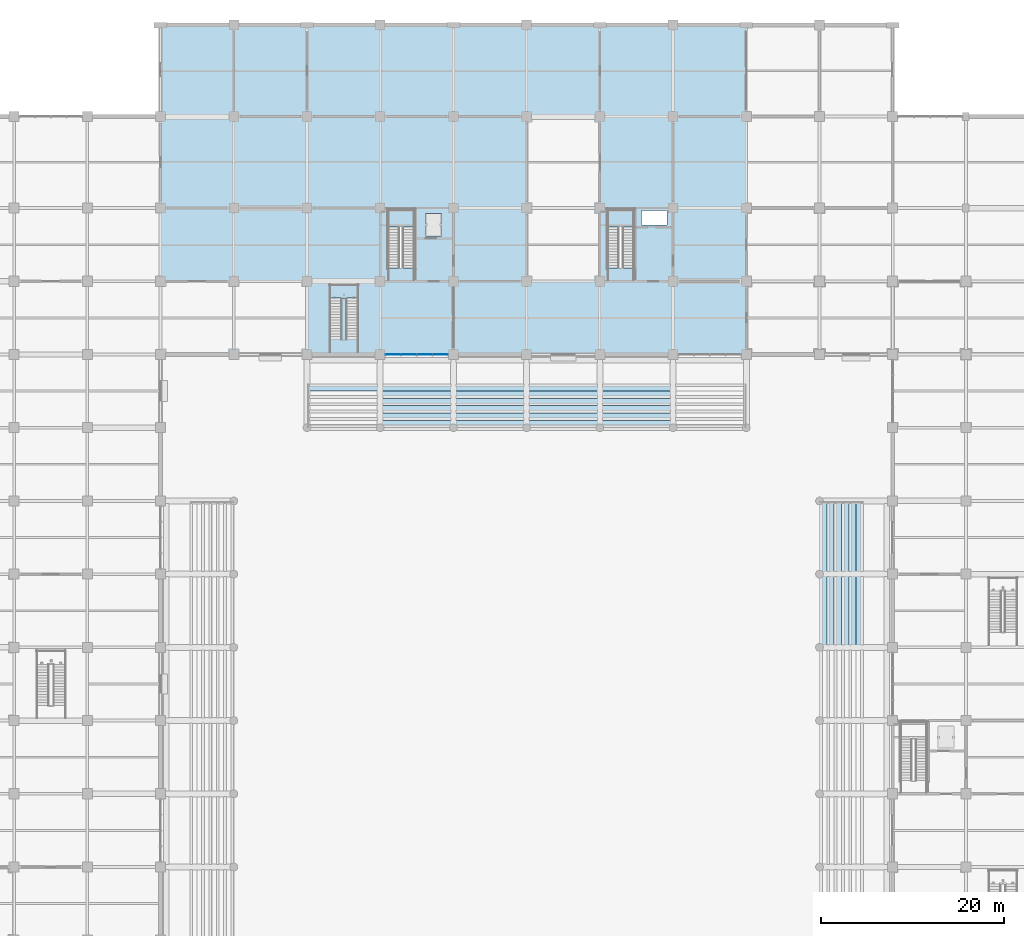
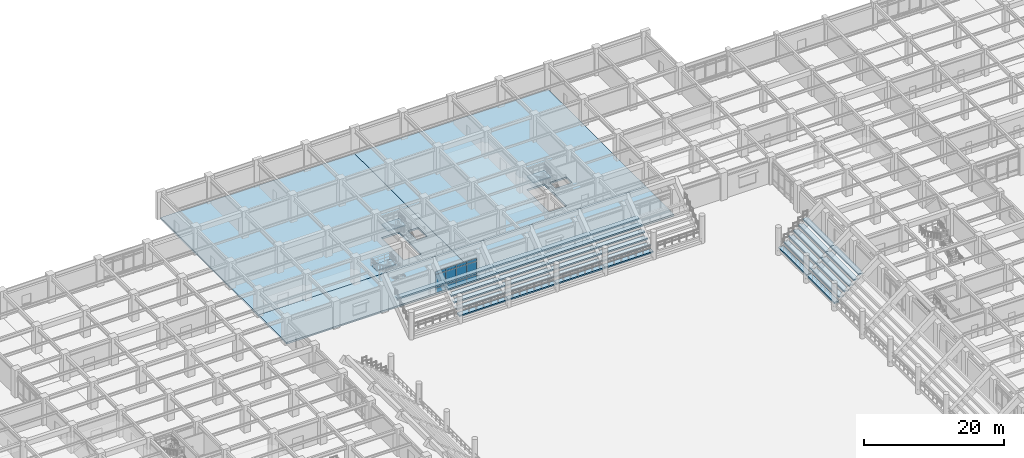
# One storey, part 69 of 125: 44 slabs, 12 plates, 4 elements without a shape of their own.
"""IFC4 building model written with IfcOpenShell, lengths in metres."""

from ifc_helpers import new_model, si_unit, direction, frame, origin, origin_2d, place, context, subcontext, project, spatial, polyline, rectangle, outline, extrude, material, layer, layer_set, type_object, element, aggregate, save


model = new_model("IFC4")

# Units and contexts
model_context = context("Model", 3, precision=1e-05, world=origin(), true_north=direction((0.0, 1.0)))
body_context = subcontext(model_context, "Body", "Model", "MODEL_VIEW")
ifc_project = project(units=[si_unit("LENGTHUNIT", "METRE"), si_unit("AREAUNIT", "SQUARE_METRE"), si_unit("VOLUMEUNIT", "CUBIC_METRE"), si_unit("PLANEANGLEUNIT", "RADIAN"), si_unit("MASSUNIT", "GRAM", prefix="KILO")], contexts=[model_context])

# Site, building, storey
site_placement = place(None, origin())
site = spatial("IfcSite", under=ifc_project, at=site_placement, CompositionType="ELEMENT")
building_placement = place(site_placement, origin())
building = spatial("IfcBuilding", under=site, at=building_placement, Name="Haebicheon Civic Stadium", CompositionType="ELEMENT")
storey_placement = place(building_placement, origin())
storey = spatial("IfcBuildingStorey", under=building, at=storey_placement, Name="L01", CompositionType="ELEMENT", Elevation=0.0)

# Curtain wall, plates
ifc_material_1 = material(Name="Anodised aluminium and laminated glass", Category="aluminium")
ifc_layer_1 = layer(ifc_material_1, 0.179931640625, Name="Anodised aluminium and laminated glass")
ifc_layer_set_1 = layer_set([ifc_layer_1], Name="Anodised aluminium and laminated glass")
curtain_wall_type = type_object("IfcCurtainWallType", Name="CW-6900x3810", PredefinedType="NOTDEFINED", material=ifc_layer_set_1)
curtain_wall_placement = place(storey_placement, origin())
curtain_wall = element("IfcCurtainWall", 1, at=curtain_wall_placement, inside=storey, type_object=curtain_wall_type, material=ifc_layer_set_1, Name="L01 unitised curtain wall 010", PredefinedType="NOTDEFINED")
ifc_material_2 = material(Name="Double low-e laminated glass", Category="glass")
ifc_layer_2 = layer(ifc_material_2, 0.028076171875, Name="Double low-e laminated glass")
ifc_layer_set_2 = layer_set([ifc_layer_2], Name="Double low-e laminated glass")
plate_type_1 = type_object("IfcPlateType", Name="CWP-GLZ-28", PredefinedType="CURTAIN_PANEL", material=ifc_layer_set_2)
plate_1_placement = place(storey_placement, frame((89.431884765625, 152.0, 0.93994140625), z_axis=(0.0, 0.0, 1.0), x_axis=(1.0, 0.0, 0.0)))
plate_1 = element("IfcPlate", 2, at=plate_1_placement, type_object=plate_type_1, material=ifc_layer_set_2, Name="CW-L01-010 vision panel 1.2", PredefinedType="CURTAIN_PANEL", context=body_context, shape_type="SweptSolid", body=[
    extrude(rectangle(XDim=1.60498046875, YDim=0.028076171875, at=origin_2d()), origin(), (0.0, 0.0, 1.0), 2.280029296875),
])
plate_2_placement = place(storey_placement, frame((91.137939453125, 152.0, 0.93994140625), z_axis=(0.0, 0.0, 1.0), x_axis=(1.0, 0.0, 0.0)))
plate_2 = element("IfcPlate", 3, at=plate_2_placement, type_object=plate_type_1, material=ifc_layer_set_2, Name="CW-L01-010 vision panel 2.2", PredefinedType="CURTAIN_PANEL", context=body_context, shape_type="SweptSolid", body=[
    extrude(rectangle(XDim=1.64501953125, YDim=0.028076171875, at=origin_2d()), origin(), (0.0, 0.0, 1.0), 2.280029296875),
])
plate_3_placement = place(storey_placement, frame((92.862060546875, 152.0, 0.93994140625), z_axis=(0.0, 0.0, 1.0), x_axis=(1.0, 0.0, 0.0)))
plate_3 = element("IfcPlate", 4, at=plate_3_placement, type_object=plate_type_1, material=ifc_layer_set_2, Name="CW-L01-010 vision panel 3.2", PredefinedType="CURTAIN_PANEL", context=body_context, shape_type="SweptSolid", body=[
    extrude(rectangle(XDim=1.64501953125, YDim=0.028076171875, at=origin_2d()), origin(), (0.0, 0.0, 1.0), 2.280029296875),
])
plate_4_placement = place(storey_placement, frame((94.568115234375, 152.0, 0.93994140625), z_axis=(0.0, 0.0, 1.0), x_axis=(1.0, 0.0, 0.0)))
plate_4 = element("IfcPlate", 5, at=plate_4_placement, type_object=plate_type_1, material=ifc_layer_set_2, Name="CW-L01-010 vision panel 4.2", PredefinedType="CURTAIN_PANEL", context=body_context, shape_type="SweptSolid", body=[
    extrude(rectangle(XDim=1.60498046875, YDim=0.028076171875, at=origin_2d()), origin(), (0.0, 0.0, 1.0), 2.280029296875),
])
ifc_material_3 = material(Name="Anodised aluminium 6063-T6", Category="aluminium")
ifc_layer_3 = layer(ifc_material_3, 0.0439453125, Name="Anodised aluminium 6063-T6")
ifc_layer_set_3 = layer_set([ifc_layer_3], Name="Anodised aluminium 6063-T6")
plate_type_2 = type_object("IfcPlateType", Name="CWP-SPD-44", PredefinedType="CURTAIN_PANEL", material=ifc_layer_set_3)
plate_5_placement = place(storey_placement, frame((89.431884765625, 152.0, 0.0400390625), z_axis=(0.0, 0.0, 1.0), x_axis=(1.0, 0.0, 0.0)))
plate_5 = element("IfcPlate", 6, at=plate_5_placement, type_object=plate_type_2, material=ifc_layer_set_3, Name="CW-L01-010 spandrel panel 1.1", PredefinedType="CURTAIN_PANEL", context=body_context, shape_type="SweptSolid", body=[
    extrude(rectangle(XDim=1.60498046875, YDim=0.0439453125, at=origin_2d()), origin(), (0.0, 0.0, 1.0), 0.820068359375),
])
plate_6_placement = place(storey_placement, frame((89.431884765625, 152.0, 3.2998046875), z_axis=(0.0, 0.0, 1.0), x_axis=(1.0, 0.0, 0.0)))
plate_6 = element("IfcPlate", 7, at=plate_6_placement, type_object=plate_type_2, material=ifc_layer_set_3, Name="CW-L01-010 spandrel panel 1.3", PredefinedType="CURTAIN_PANEL", context=body_context, shape_type="SweptSolid", body=[
    extrude(rectangle(XDim=1.60498046875, YDim=0.0439453125, at=origin_2d()), origin(), (0.0, 0.0, 1.0), 0.469970703125),
])
plate_7_placement = place(storey_placement, frame((91.137939453125, 152.0, 0.0400390625), z_axis=(0.0, 0.0, 1.0), x_axis=(1.0, 0.0, 0.0)))
plate_7 = element("IfcPlate", 8, at=plate_7_placement, type_object=plate_type_2, material=ifc_layer_set_3, Name="CW-L01-010 spandrel panel 2.1", PredefinedType="CURTAIN_PANEL", context=body_context, shape_type="SweptSolid", body=[
    extrude(rectangle(XDim=1.64501953125, YDim=0.0439453125, at=origin_2d()), origin(), (0.0, 0.0, 1.0), 0.820068359375),
])
plate_8_placement = place(storey_placement, frame((91.137939453125, 152.0, 3.2998046875), z_axis=(0.0, 0.0, 1.0), x_axis=(1.0, 0.0, 0.0)))
plate_8 = element("IfcPlate", 9, at=plate_8_placement, type_object=plate_type_2, material=ifc_layer_set_3, Name="CW-L01-010 spandrel panel 2.3", PredefinedType="CURTAIN_PANEL", context=body_context, shape_type="SweptSolid", body=[
    extrude(rectangle(XDim=1.64501953125, YDim=0.0439453125, at=origin_2d()), origin(), (0.0, 0.0, 1.0), 0.469970703125),
])
plate_9_placement = place(storey_placement, frame((92.862060546875, 152.0, 0.0400390625), z_axis=(0.0, 0.0, 1.0), x_axis=(1.0, 0.0, 0.0)))
plate_9 = element("IfcPlate", 10, at=plate_9_placement, type_object=plate_type_2, material=ifc_layer_set_3, Name="CW-L01-010 spandrel panel 3.1", PredefinedType="CURTAIN_PANEL", context=body_context, shape_type="SweptSolid", body=[
    extrude(rectangle(XDim=1.64501953125, YDim=0.0439453125, at=origin_2d()), origin(), (0.0, 0.0, 1.0), 0.820068359375),
])
plate_10_placement = place(storey_placement, frame((92.862060546875, 152.0, 3.2998046875), z_axis=(0.0, 0.0, 1.0), x_axis=(1.0, 0.0, 0.0)))
plate_10 = element("IfcPlate", 11, at=plate_10_placement, type_object=plate_type_2, material=ifc_layer_set_3, Name="CW-L01-010 spandrel panel 3.3", PredefinedType="CURTAIN_PANEL", context=body_context, shape_type="SweptSolid", body=[
    extrude(rectangle(XDim=1.64501953125, YDim=0.0439453125, at=origin_2d()), origin(), (0.0, 0.0, 1.0), 0.469970703125),
])
plate_11_placement = place(storey_placement, frame((94.568115234375, 152.0, 0.0400390625), z_axis=(0.0, 0.0, 1.0), x_axis=(1.0, 0.0, 0.0)))
plate_11 = element("IfcPlate", 12, at=plate_11_placement, type_object=plate_type_2, material=ifc_layer_set_3, Name="CW-L01-010 spandrel panel 4.1", PredefinedType="CURTAIN_PANEL", context=body_context, shape_type="SweptSolid", body=[
    extrude(rectangle(XDim=1.60498046875, YDim=0.0439453125, at=origin_2d()), origin(), (0.0, 0.0, 1.0), 0.820068359375),
])
plate_12_placement = place(storey_placement, frame((94.568115234375, 152.0, 3.2998046875), z_axis=(0.0, 0.0, 1.0), x_axis=(1.0, 0.0, 0.0)))
plate_12 = element("IfcPlate", 13, at=plate_12_placement, type_object=plate_type_2, material=ifc_layer_set_3, Name="CW-L01-010 spandrel panel 4.3", PredefinedType="CURTAIN_PANEL", context=body_context, shape_type="SweptSolid", body=[
    extrude(rectangle(XDim=1.60498046875, YDim=0.0439453125, at=origin_2d()), origin(), (0.0, 0.0, 1.0), 0.469970703125),
])
aggregate(curtain_wall, [plate_5, plate_1, plate_6, plate_7, plate_2, plate_8, plate_9, plate_3, plate_10, plate_11, plate_4, plate_12])

# Slabs
ifc_material_4 = material(Name="Concrete C40/50", Category="concrete")
ifc_layer_4 = layer(ifc_material_4, 0.300048828125, Name="Concrete C40/50")
ifc_layer_set_4 = layer_set([ifc_layer_4], Name="Concrete C40/50")
slab_type_1 = type_object("IfcSlabType", Name="SLB-FLR-300", PredefinedType="FLOOR", material=ifc_layer_set_4)
slab_1_placement = place(storey_placement, frame((0.0, 0.0, -0.300048828125)))
element("IfcSlab", 14, at=slab_1_placement, inside=storey, type_object=slab_type_1, material=ifc_layer_set_4, Name="L01 V2 structural slab 2.1", PredefinedType="FLOOR", context=body_context, shape_type="SweptSolid", body=[
    extrude(outline(polyline([(64.0, 160.0), (72.0, 160.0), (80.0, 160.0), (88.0, 160.0), (96.0, 160.0), (96.0, 152.0), (88.0, 152.0), (80.0, 152.0), (72.0, 152.0), (64.0, 152.0), (64.0, 160.0)])), origin(), (0.0, 0.0, 1.0), 0.300048828125),
])
slab_2_placement = place(storey_placement, frame((0.0, 0.0, -0.300048828125)))
element("IfcSlab", 15, at=slab_2_placement, inside=storey, type_object=slab_type_1, material=ifc_layer_set_4, Name="L01 V2 structural slab 3.1", PredefinedType="FLOOR", context=body_context, shape_type="SweptSolid", body=[
    extrude(outline(polyline([(64.0, 178.0), (64.0, 188.0), (72.0, 188.0), (80.0, 188.0), (88.0, 188.0), (96.0, 188.0), (96.0, 178.0), (96.0, 168.0), (96.0, 160.0), (88.0, 160.0), (80.0, 160.0), (72.0, 160.0), (64.0, 160.0), (64.0, 168.0), (64.0, 178.0)]), holes=[polyline([(88.840087890625, 161.4599609375), (91.739990234375, 161.4599609375), (91.739990234375, 167.840087890625), (88.840087890625, 167.840087890625), (88.840087890625, 161.4599609375)]), polyline([(92.969970703125, 164.929931640625), (94.669921875, 164.929931640625), (94.669921875, 167.429931640625), (92.969970703125, 167.429931640625), (92.969970703125, 164.929931640625)])]), origin(), (0.0, 0.0, 1.0), 0.300048828125),
])
slab_3_placement = place(storey_placement, frame((0.0, 0.0, -0.300048828125)))
element("IfcSlab", 16, at=slab_3_placement, inside=storey, type_object=slab_type_1, material=ifc_layer_set_4, Name="L01 V2 structural slab 5.1", PredefinedType="FLOOR", context=body_context, shape_type="SweptSolid", body=[
    extrude(outline(polyline([(96.0, 160.0), (104.0, 160.0), (112.0, 160.0), (120.0, 160.0), (128.0, 160.0), (128.0, 152.0), (120.0, 152.0), (112.0, 152.0), (104.0, 152.0), (96.0, 152.0), (96.0, 160.0)])), origin(), (0.0, 0.0, 1.0), 0.300048828125),
])
slab_4_placement = place(storey_placement, frame((0.0, 0.0, -0.300048828125)))
element("IfcSlab", 17, at=slab_4_placement, inside=storey, type_object=slab_type_1, material=ifc_layer_set_4, Name="L01 V2 structural slab 6.1", PredefinedType="FLOOR", context=body_context, shape_type="SweptSolid", body=[
    extrude(outline(polyline([(96.0, 178.0), (96.0, 188.0), (104.0, 188.0), (112.0, 188.0), (120.0, 188.0), (128.0, 188.0), (128.0, 178.0), (128.0, 168.0), (128.0, 160.0), (120.0, 160.0), (112.0, 160.0), (104.0, 160.0), (96.0, 160.0), (96.0, 168.0), (96.0, 178.0)]), holes=[polyline([(112.840087890625, 161.4599609375), (115.739990234375, 161.4599609375), (115.739990234375, 167.840087890625), (112.840087890625, 167.840087890625), (112.840087890625, 161.4599609375)]), polyline([(116.550048828125, 166.14990234375), (119.35009765625, 166.14990234375), (119.35009765625, 167.75), (116.550048828125, 167.75), (116.550048828125, 166.14990234375)])]), origin(), (0.0, 0.0, 1.0), 0.300048828125),
])

# Stair, slab
ifc_material_5 = material(Name="Concrete C40/50", Category="concrete")
stair_type_1 = type_object("IfcStairType", Name="STR-DL-W128-H48", PredefinedType="HALF_TURN_STAIR", material=ifc_material_5)
stair_1_placement = place(storey_placement, origin())
stair_1 = element("IfcStair", 18, at=stair_1_placement, inside=storey, type_object=stair_type_1, material=ifc_material_5, Name="L01 Escape stair ST-08", PredefinedType="HALF_TURN_STAIR")
ifc_material_6 = material(Name="Concrete C40/50", Category="concrete")
ifc_layer_5 = layer(ifc_material_6, 0.199951171875, Name="Concrete C40/50")
ifc_layer_set_5 = layer_set([ifc_layer_5], Name="Concrete C40/50")
slab_type_2 = type_object("IfcSlabType", Name="SLB-LND-200", PredefinedType="LANDING", material=ifc_layer_set_5)
slab_5_placement = place(storey_placement, frame((0.0, 0.0, 2.199951171875)))
slab_5 = element("IfcSlab", 19, at=slab_5_placement, type_object=slab_type_2, material=ifc_layer_set_5, Name="ST-08 landing 1", PredefinedType="LANDING", context=body_context, shape_type="SweptSolid", body=[
    extrude(outline(polyline([(91.739990234375, 165.949951171875), (91.739990234375, 167.840087890625), (88.840087890625, 167.840087890625), (88.840087890625, 165.949951171875), (91.739990234375, 165.949951171875)])), origin(), (0.0, 0.0, 1.0), 0.199951171875),
])
aggregate(stair_1, [slab_5])

ifc_material_7 = material(Name="Concrete C40/50", Category="concrete")
stair_type_2 = type_object("IfcStairType", Name="STR-DL-W126-H48", PredefinedType="HALF_TURN_STAIR", material=ifc_material_7)
stair_2_placement = place(storey_placement, origin())
stair_2 = element("IfcStair", 20, at=stair_2_placement, inside=storey, type_object=stair_type_2, material=ifc_material_7, Name="L01 Escape stair ST-09", PredefinedType="HALF_TURN_STAIR")
slab_6_placement = place(storey_placement, frame((0.0, 0.0, 2.199951171875)))
slab_6 = element("IfcSlab", 21, at=slab_6_placement, type_object=slab_type_2, material=ifc_layer_set_5, Name="ST-09 landing 1", PredefinedType="LANDING", context=body_context, shape_type="SweptSolid", body=[
    extrude(outline(polyline([(115.739990234375, 165.949951171875), (115.739990234375, 167.840087890625), (112.840087890625, 167.840087890625), (112.840087890625, 165.949951171875), (115.739990234375, 165.949951171875)])), origin(), (0.0, 0.0, 1.0), 0.199951171875),
])
aggregate(stair_2, [slab_6])

ifc_material_8 = material(Name="Concrete C40/50", Category="concrete")
stair_type_3 = type_object("IfcStairType", Name="STR-DL-W136-H48", PredefinedType="HALF_TURN_STAIR", material=ifc_material_8)
stair_3_placement = place(storey_placement, origin())
stair_3 = element("IfcStair", 22, at=stair_3_placement, inside=storey, type_object=stair_type_3, material=ifc_material_8, Name="Vomitory stair VM-09 (L01)", PredefinedType="HALF_TURN_STAIR")
slab_7_placement = place(storey_placement, frame((0.0, 0.0, 2.199951171875)))
slab_7 = element("IfcSlab", 23, at=slab_7_placement, type_object=slab_type_2, material=ifc_layer_set_5, Name="VM-09 landing 1", PredefinedType="LANDING", context=body_context, shape_type="SweptSolid", body=[
    extrude(outline(polyline([(85.639892578125, 158.14990234375), (85.639892578125, 159.64990234375), (82.4599609375, 159.64990234375), (82.4599609375, 158.14990234375), (85.639892578125, 158.14990234375)])), origin(), (0.0, 0.0, 1.0), 0.199951171875),
])
aggregate(stair_3, [slab_7])

# Slabs
ifc_material_9 = material(Name="Precast concrete C40/50", Category="concrete")
ifc_layer_6 = layer(ifc_material_9, 0.239990234375, Name="Precast concrete C40/50")
ifc_layer_set_6 = layer_set([ifc_layer_6], Name="Precast concrete C40/50")
slab_type_3 = type_object("IfcSlabType", Name="SLB-TIER-240", PredefinedType="USERDEFINED", material=ifc_layer_set_6)
slab_8_placement = place(storey_placement, frame((0.0, 0.0, 0.9599609375)))
element("IfcSlab", 24, at=slab_8_placement, inside=storey, type_object=slab_type_3, material=ifc_layer_set_6, Name="TIER-E-L precast seating tier bay 10 row-band 1", ObjectType="SEATING TIER", PredefinedType="USERDEFINED", context=body_context, shape_type="SweptSolid", body=[
    extrude(outline(polyline([(136.0, 120.0), (136.800048828125, 120.0), (136.800048828125, 128.0), (136.0, 128.0), (136.0, 120.0)])), origin(), (0.0, 0.0, 1.0), 0.239990234375),
])
slab_9_placement = place(storey_placement, frame((0.0, 0.0, 1.6708984375)))
element("IfcSlab", 25, at=slab_9_placement, inside=storey, type_object=slab_type_3, material=ifc_layer_set_6, Name="TIER-E-L precast seating tier bay 10 row-band 2", ObjectType="SEATING TIER", PredefinedType="USERDEFINED", context=body_context, shape_type="SweptSolid", body=[
    extrude(outline(polyline([(136.800048828125, 120.0), (137.60009765625, 120.0), (137.60009765625, 128.0), (136.800048828125, 128.0), (136.800048828125, 120.0)])), origin(), (0.0, 0.0, 1.0), 0.239990234375),
])
slab_10_placement = place(storey_placement, frame((0.0, 0.0, 2.382080078125)))
element("IfcSlab", 26, at=slab_10_placement, inside=storey, type_object=slab_type_3, material=ifc_layer_set_6, Name="TIER-E-L precast seating tier bay 10 row-band 3", ObjectType="SEATING TIER", PredefinedType="USERDEFINED", context=body_context, shape_type="SweptSolid", body=[
    extrude(outline(polyline([(137.60009765625, 120.0), (138.39990234375, 120.0), (138.39990234375, 128.0), (137.60009765625, 128.0), (137.60009765625, 120.0)])), origin(), (0.0, 0.0, 1.0), 0.239990234375),
])
slab_11_placement = place(storey_placement, frame((0.0, 0.0, 3.093017578125)))
element("IfcSlab", 27, at=slab_11_placement, inside=storey, type_object=slab_type_3, material=ifc_layer_set_6, Name="TIER-E-L precast seating tier bay 10 row-band 4", ObjectType="SEATING TIER", PredefinedType="USERDEFINED", context=body_context, shape_type="SweptSolid", body=[
    extrude(outline(polyline([(138.39990234375, 120.0), (139.199951171875, 120.0), (139.199951171875, 128.0), (138.39990234375, 128.0), (138.39990234375, 120.0)])), origin(), (0.0, 0.0, 1.0), 0.239990234375),
])
slab_12_placement = place(storey_placement, frame((0.0, 0.0, 3.803955078125)))
element("IfcSlab", 28, at=slab_12_placement, inside=storey, type_object=slab_type_3, material=ifc_layer_set_6, Name="TIER-E-L precast seating tier bay 10 row-band 5", ObjectType="SEATING TIER", PredefinedType="USERDEFINED", context=body_context, shape_type="SweptSolid", body=[
    extrude(outline(polyline([(139.199951171875, 120.0), (140.0, 120.0), (140.0, 128.0), (139.199951171875, 128.0), (139.199951171875, 120.0)])), origin(), (0.0, 0.0, 1.0), 0.239990234375),
])
slab_13_placement = place(storey_placement, frame((0.0, 0.0, 4.51611328125)))
element("IfcSlab", 29, at=slab_13_placement, inside=storey, type_object=slab_type_3, material=ifc_layer_set_6, Name="TIER-E-L precast seating tier bay 10 row-band 6", ObjectType="SEATING TIER", PredefinedType="USERDEFINED", context=body_context, shape_type="SweptSolid", body=[
    extrude(outline(polyline([(140.0, 120.0), (140.800048828125, 120.0), (140.800048828125, 128.0), (140.0, 128.0), (140.0, 120.0)])), origin(), (0.0, 0.0, 1.0), 0.239990234375),
])
slab_14_placement = place(storey_placement, frame((0.0, 0.0, 0.9599609375)))
element("IfcSlab", 30, at=slab_14_placement, inside=storey, type_object=slab_type_3, material=ifc_layer_set_6, Name="TIER-E-L precast seating tier bay 11 row-band 1", ObjectType="SEATING TIER", PredefinedType="USERDEFINED", context=body_context, shape_type="SweptSolid", body=[
    extrude(outline(polyline([(136.0, 128.0), (136.800048828125, 128.0), (136.800048828125, 136.0), (136.0, 136.0), (136.0, 128.0)])), origin(), (0.0, 0.0, 1.0), 0.239990234375),
])
slab_15_placement = place(storey_placement, frame((0.0, 0.0, 1.6708984375)))
element("IfcSlab", 31, at=slab_15_placement, inside=storey, type_object=slab_type_3, material=ifc_layer_set_6, Name="TIER-E-L precast seating tier bay 11 row-band 2", ObjectType="SEATING TIER", PredefinedType="USERDEFINED", context=body_context, shape_type="SweptSolid", body=[
    extrude(outline(polyline([(136.800048828125, 128.0), (137.60009765625, 128.0), (137.60009765625, 136.0), (136.800048828125, 136.0), (136.800048828125, 128.0)])), origin(), (0.0, 0.0, 1.0), 0.239990234375),
])
slab_16_placement = place(storey_placement, frame((0.0, 0.0, 2.382080078125)))
element("IfcSlab", 32, at=slab_16_placement, inside=storey, type_object=slab_type_3, material=ifc_layer_set_6, Name="TIER-E-L precast seating tier bay 11 row-band 3", ObjectType="SEATING TIER", PredefinedType="USERDEFINED", context=body_context, shape_type="SweptSolid", body=[
    extrude(outline(polyline([(137.60009765625, 128.0), (138.39990234375, 128.0), (138.39990234375, 136.0), (137.60009765625, 136.0), (137.60009765625, 128.0)])), origin(), (0.0, 0.0, 1.0), 0.239990234375),
])
slab_17_placement = place(storey_placement, frame((0.0, 0.0, 3.093017578125)))
element("IfcSlab", 33, at=slab_17_placement, inside=storey, type_object=slab_type_3, material=ifc_layer_set_6, Name="TIER-E-L precast seating tier bay 11 row-band 4", ObjectType="SEATING TIER", PredefinedType="USERDEFINED", context=body_context, shape_type="SweptSolid", body=[
    extrude(outline(polyline([(138.39990234375, 128.0), (139.199951171875, 128.0), (139.199951171875, 136.0), (138.39990234375, 136.0), (138.39990234375, 128.0)])), origin(), (0.0, 0.0, 1.0), 0.239990234375),
])
slab_18_placement = place(storey_placement, frame((0.0, 0.0, 3.803955078125)))
element("IfcSlab", 34, at=slab_18_placement, inside=storey, type_object=slab_type_3, material=ifc_layer_set_6, Name="TIER-E-L precast seating tier bay 11 row-band 5", ObjectType="SEATING TIER", PredefinedType="USERDEFINED", context=body_context, shape_type="SweptSolid", body=[
    extrude(outline(polyline([(139.199951171875, 128.0), (140.0, 128.0), (140.0, 136.0), (139.199951171875, 136.0), (139.199951171875, 128.0)])), origin(), (0.0, 0.0, 1.0), 0.239990234375),
])
slab_19_placement = place(storey_placement, frame((0.0, 0.0, 4.51611328125)))
element("IfcSlab", 35, at=slab_19_placement, inside=storey, type_object=slab_type_3, material=ifc_layer_set_6, Name="TIER-E-L precast seating tier bay 11 row-band 6", ObjectType="SEATING TIER", PredefinedType="USERDEFINED", context=body_context, shape_type="SweptSolid", body=[
    extrude(outline(polyline([(140.0, 128.0), (140.800048828125, 128.0), (140.800048828125, 136.0), (140.0, 136.0), (140.0, 128.0)])), origin(), (0.0, 0.0, 1.0), 0.239990234375),
])
slab_20_placement = place(storey_placement, frame((0.0, 0.0, 4.29296875)))
element("IfcSlab", 36, at=slab_20_placement, inside=storey, type_object=slab_type_3, material=ifc_layer_set_6, Name="TIER-N-L precast seating tier bay 1 row-band 6", ObjectType="SEATING TIER", PredefinedType="USERDEFINED", context=body_context, shape_type="SweptSolid", body=[
    extrude(outline(polyline([(80.0, 148.0), (88.0, 148.0), (88.0, 148.800048828125), (80.0, 148.800048828125), (80.0, 148.0)])), origin(), (0.0, 0.0, 1.0), 0.239990234375),
])
slab_21_placement = place(storey_placement, frame((0.0, 0.0, 0.9599609375)))
element("IfcSlab", 37, at=slab_21_placement, inside=storey, type_object=slab_type_3, material=ifc_layer_set_6, Name="TIER-N-L precast seating tier bay 2 row-band 1", ObjectType="SEATING TIER", PredefinedType="USERDEFINED", context=body_context, shape_type="SweptSolid", body=[
    extrude(outline(polyline([(88.0, 144.0), (96.0, 144.0), (96.0, 144.800048828125), (88.0, 144.800048828125), (88.0, 144.0)])), origin(), (0.0, 0.0, 1.0), 0.239990234375),
])
slab_22_placement = place(storey_placement, frame((0.0, 0.0, 1.626953125)))
element("IfcSlab", 38, at=slab_22_placement, inside=storey, type_object=slab_type_3, material=ifc_layer_set_6, Name="TIER-N-L precast seating tier bay 2 row-band 2", ObjectType="SEATING TIER", PredefinedType="USERDEFINED", context=body_context, shape_type="SweptSolid", body=[
    extrude(outline(polyline([(88.0, 144.800048828125), (96.0, 144.800048828125), (96.0, 145.60009765625), (88.0, 145.60009765625), (88.0, 144.800048828125)])), origin(), (0.0, 0.0, 1.0), 0.239990234375),
])
slab_23_placement = place(storey_placement, frame((0.0, 0.0, 2.29296875)))
element("IfcSlab", 39, at=slab_23_placement, inside=storey, type_object=slab_type_3, material=ifc_layer_set_6, Name="TIER-N-L precast seating tier bay 2 row-band 3", ObjectType="SEATING TIER", PredefinedType="USERDEFINED", context=body_context, shape_type="SweptSolid", body=[
    extrude(outline(polyline([(88.0, 145.60009765625), (96.0, 145.60009765625), (96.0, 146.39990234375), (88.0, 146.39990234375), (88.0, 145.60009765625)])), origin(), (0.0, 0.0, 1.0), 0.239990234375),
])
slab_24_placement = place(storey_placement, frame((0.0, 0.0, 2.9599609375)))
element("IfcSlab", 40, at=slab_24_placement, inside=storey, type_object=slab_type_3, material=ifc_layer_set_6, Name="TIER-N-L precast seating tier bay 2 row-band 4", ObjectType="SEATING TIER", PredefinedType="USERDEFINED", context=body_context, shape_type="SweptSolid", body=[
    extrude(outline(polyline([(88.0, 146.39990234375), (96.0, 146.39990234375), (96.0, 147.199951171875), (88.0, 147.199951171875), (88.0, 146.39990234375)])), origin(), (0.0, 0.0, 1.0), 0.239990234375),
])
slab_25_placement = place(storey_placement, frame((0.0, 0.0, 3.626953125)))
element("IfcSlab", 41, at=slab_25_placement, inside=storey, type_object=slab_type_3, material=ifc_layer_set_6, Name="TIER-N-L precast seating tier bay 2 row-band 5", ObjectType="SEATING TIER", PredefinedType="USERDEFINED", context=body_context, shape_type="SweptSolid", body=[
    extrude(outline(polyline([(88.0, 147.199951171875), (96.0, 147.199951171875), (96.0, 148.0), (88.0, 148.0), (88.0, 147.199951171875)])), origin(), (0.0, 0.0, 1.0), 0.239990234375),
])
slab_26_placement = place(storey_placement, frame((0.0, 0.0, 4.29296875)))
element("IfcSlab", 42, at=slab_26_placement, inside=storey, type_object=slab_type_3, material=ifc_layer_set_6, Name="TIER-N-L precast seating tier bay 2 row-band 6", ObjectType="SEATING TIER", PredefinedType="USERDEFINED", context=body_context, shape_type="SweptSolid", body=[
    extrude(outline(polyline([(88.0, 148.0), (96.0, 148.0), (96.0, 148.800048828125), (88.0, 148.800048828125), (88.0, 148.0)])), origin(), (0.0, 0.0, 1.0), 0.239990234375),
])
slab_27_placement = place(storey_placement, frame((0.0, 0.0, 0.9599609375)))
element("IfcSlab", 43, at=slab_27_placement, inside=storey, type_object=slab_type_3, material=ifc_layer_set_6, Name="TIER-N-L precast seating tier bay 3 row-band 1", ObjectType="SEATING TIER", PredefinedType="USERDEFINED", context=body_context, shape_type="SweptSolid", body=[
    extrude(outline(polyline([(96.0, 144.0), (104.0, 144.0), (104.0, 144.800048828125), (96.0, 144.800048828125), (96.0, 144.0)])), origin(), (0.0, 0.0, 1.0), 0.239990234375),
])
slab_28_placement = place(storey_placement, frame((0.0, 0.0, 1.626953125)))
element("IfcSlab", 44, at=slab_28_placement, inside=storey, type_object=slab_type_3, material=ifc_layer_set_6, Name="TIER-N-L precast seating tier bay 3 row-band 2", ObjectType="SEATING TIER", PredefinedType="USERDEFINED", context=body_context, shape_type="SweptSolid", body=[
    extrude(outline(polyline([(96.0, 144.800048828125), (104.0, 144.800048828125), (104.0, 145.60009765625), (96.0, 145.60009765625), (96.0, 144.800048828125)])), origin(), (0.0, 0.0, 1.0), 0.239990234375),
])
slab_29_placement = place(storey_placement, frame((0.0, 0.0, 2.29296875)))
element("IfcSlab", 45, at=slab_29_placement, inside=storey, type_object=slab_type_3, material=ifc_layer_set_6, Name="TIER-N-L precast seating tier bay 3 row-band 3", ObjectType="SEATING TIER", PredefinedType="USERDEFINED", context=body_context, shape_type="SweptSolid", body=[
    extrude(outline(polyline([(96.0, 145.60009765625), (104.0, 145.60009765625), (104.0, 146.39990234375), (96.0, 146.39990234375), (96.0, 145.60009765625)])), origin(), (0.0, 0.0, 1.0), 0.239990234375),
])
slab_30_placement = place(storey_placement, frame((0.0, 0.0, 2.9599609375)))
element("IfcSlab", 46, at=slab_30_placement, inside=storey, type_object=slab_type_3, material=ifc_layer_set_6, Name="TIER-N-L precast seating tier bay 3 row-band 4", ObjectType="SEATING TIER", PredefinedType="USERDEFINED", context=body_context, shape_type="SweptSolid", body=[
    extrude(outline(polyline([(96.0, 146.39990234375), (104.0, 146.39990234375), (104.0, 147.199951171875), (96.0, 147.199951171875), (96.0, 146.39990234375)])), origin(), (0.0, 0.0, 1.0), 0.239990234375),
])
slab_31_placement = place(storey_placement, frame((0.0, 0.0, 3.626953125)))
element("IfcSlab", 47, at=slab_31_placement, inside=storey, type_object=slab_type_3, material=ifc_layer_set_6, Name="TIER-N-L precast seating tier bay 3 row-band 5", ObjectType="SEATING TIER", PredefinedType="USERDEFINED", context=body_context, shape_type="SweptSolid", body=[
    extrude(outline(polyline([(96.0, 147.199951171875), (104.0, 147.199951171875), (104.0, 148.0), (96.0, 148.0), (96.0, 147.199951171875)])), origin(), (0.0, 0.0, 1.0), 0.239990234375),
])
slab_32_placement = place(storey_placement, frame((0.0, 0.0, 4.29296875)))
element("IfcSlab", 48, at=slab_32_placement, inside=storey, type_object=slab_type_3, material=ifc_layer_set_6, Name="TIER-N-L precast seating tier bay 3 row-band 6", ObjectType="SEATING TIER", PredefinedType="USERDEFINED", context=body_context, shape_type="SweptSolid", body=[
    extrude(outline(polyline([(96.0, 148.0), (104.0, 148.0), (104.0, 148.800048828125), (96.0, 148.800048828125), (96.0, 148.0)])), origin(), (0.0, 0.0, 1.0), 0.239990234375),
])
slab_33_placement = place(storey_placement, frame((0.0, 0.0, 0.9599609375)))
element("IfcSlab", 49, at=slab_33_placement, inside=storey, type_object=slab_type_3, material=ifc_layer_set_6, Name="TIER-N-L precast seating tier bay 4 row-band 1", ObjectType="SEATING TIER", PredefinedType="USERDEFINED", context=body_context, shape_type="SweptSolid", body=[
    extrude(outline(polyline([(104.0, 144.0), (112.0, 144.0), (112.0, 144.800048828125), (104.0, 144.800048828125), (104.0, 144.0)])), origin(), (0.0, 0.0, 1.0), 0.239990234375),
])
slab_34_placement = place(storey_placement, frame((0.0, 0.0, 1.626953125)))
element("IfcSlab", 50, at=slab_34_placement, inside=storey, type_object=slab_type_3, material=ifc_layer_set_6, Name="TIER-N-L precast seating tier bay 4 row-band 2", ObjectType="SEATING TIER", PredefinedType="USERDEFINED", context=body_context, shape_type="SweptSolid", body=[
    extrude(outline(polyline([(104.0, 144.800048828125), (112.0, 144.800048828125), (112.0, 145.60009765625), (104.0, 145.60009765625), (104.0, 144.800048828125)])), origin(), (0.0, 0.0, 1.0), 0.239990234375),
])
slab_35_placement = place(storey_placement, frame((0.0, 0.0, 2.29296875)))
element("IfcSlab", 51, at=slab_35_placement, inside=storey, type_object=slab_type_3, material=ifc_layer_set_6, Name="TIER-N-L precast seating tier bay 4 row-band 3", ObjectType="SEATING TIER", PredefinedType="USERDEFINED", context=body_context, shape_type="SweptSolid", body=[
    extrude(outline(polyline([(104.0, 145.60009765625), (112.0, 145.60009765625), (112.0, 146.39990234375), (104.0, 146.39990234375), (104.0, 145.60009765625)])), origin(), (0.0, 0.0, 1.0), 0.239990234375),
])
slab_36_placement = place(storey_placement, frame((0.0, 0.0, 2.9599609375)))
element("IfcSlab", 52, at=slab_36_placement, inside=storey, type_object=slab_type_3, material=ifc_layer_set_6, Name="TIER-N-L precast seating tier bay 4 row-band 4", ObjectType="SEATING TIER", PredefinedType="USERDEFINED", context=body_context, shape_type="SweptSolid", body=[
    extrude(outline(polyline([(104.0, 146.39990234375), (112.0, 146.39990234375), (112.0, 147.199951171875), (104.0, 147.199951171875), (104.0, 146.39990234375)])), origin(), (0.0, 0.0, 1.0), 0.239990234375),
])
slab_37_placement = place(storey_placement, frame((0.0, 0.0, 3.626953125)))
element("IfcSlab", 53, at=slab_37_placement, inside=storey, type_object=slab_type_3, material=ifc_layer_set_6, Name="TIER-N-L precast seating tier bay 4 row-band 5", ObjectType="SEATING TIER", PredefinedType="USERDEFINED", context=body_context, shape_type="SweptSolid", body=[
    extrude(outline(polyline([(104.0, 147.199951171875), (112.0, 147.199951171875), (112.0, 148.0), (104.0, 148.0), (104.0, 147.199951171875)])), origin(), (0.0, 0.0, 1.0), 0.239990234375),
])
slab_38_placement = place(storey_placement, frame((0.0, 0.0, 4.29296875)))
element("IfcSlab", 54, at=slab_38_placement, inside=storey, type_object=slab_type_3, material=ifc_layer_set_6, Name="TIER-N-L precast seating tier bay 4 row-band 6", ObjectType="SEATING TIER", PredefinedType="USERDEFINED", context=body_context, shape_type="SweptSolid", body=[
    extrude(outline(polyline([(104.0, 148.0), (112.0, 148.0), (112.0, 148.800048828125), (104.0, 148.800048828125), (104.0, 148.0)])), origin(), (0.0, 0.0, 1.0), 0.239990234375),
])
slab_39_placement = place(storey_placement, frame((0.0, 0.0, 0.9599609375)))
element("IfcSlab", 55, at=slab_39_placement, inside=storey, type_object=slab_type_3, material=ifc_layer_set_6, Name="TIER-N-L precast seating tier bay 5 row-band 1", ObjectType="SEATING TIER", PredefinedType="USERDEFINED", context=body_context, shape_type="SweptSolid", body=[
    extrude(outline(polyline([(112.0, 144.0), (120.0, 144.0), (120.0, 144.800048828125), (112.0, 144.800048828125), (112.0, 144.0)])), origin(), (0.0, 0.0, 1.0), 0.239990234375),
])
slab_40_placement = place(storey_placement, frame((0.0, 0.0, 1.626953125)))
element("IfcSlab", 56, at=slab_40_placement, inside=storey, type_object=slab_type_3, material=ifc_layer_set_6, Name="TIER-N-L precast seating tier bay 5 row-band 2", ObjectType="SEATING TIER", PredefinedType="USERDEFINED", context=body_context, shape_type="SweptSolid", body=[
    extrude(outline(polyline([(112.0, 144.800048828125), (120.0, 144.800048828125), (120.0, 145.60009765625), (112.0, 145.60009765625), (112.0, 144.800048828125)])), origin(), (0.0, 0.0, 1.0), 0.239990234375),
])
slab_41_placement = place(storey_placement, frame((0.0, 0.0, 2.29296875)))
element("IfcSlab", 57, at=slab_41_placement, inside=storey, type_object=slab_type_3, material=ifc_layer_set_6, Name="TIER-N-L precast seating tier bay 5 row-band 3", ObjectType="SEATING TIER", PredefinedType="USERDEFINED", context=body_context, shape_type="SweptSolid", body=[
    extrude(outline(polyline([(112.0, 145.60009765625), (120.0, 145.60009765625), (120.0, 146.39990234375), (112.0, 146.39990234375), (112.0, 145.60009765625)])), origin(), (0.0, 0.0, 1.0), 0.239990234375),
])
slab_42_placement = place(storey_placement, frame((0.0, 0.0, 2.9599609375)))
element("IfcSlab", 58, at=slab_42_placement, inside=storey, type_object=slab_type_3, material=ifc_layer_set_6, Name="TIER-N-L precast seating tier bay 5 row-band 4", ObjectType="SEATING TIER", PredefinedType="USERDEFINED", context=body_context, shape_type="SweptSolid", body=[
    extrude(outline(polyline([(112.0, 146.39990234375), (120.0, 146.39990234375), (120.0, 147.199951171875), (112.0, 147.199951171875), (112.0, 146.39990234375)])), origin(), (0.0, 0.0, 1.0), 0.239990234375),
])
slab_43_placement = place(storey_placement, frame((0.0, 0.0, 3.626953125)))
element("IfcSlab", 59, at=slab_43_placement, inside=storey, type_object=slab_type_3, material=ifc_layer_set_6, Name="TIER-N-L precast seating tier bay 5 row-band 5", ObjectType="SEATING TIER", PredefinedType="USERDEFINED", context=body_context, shape_type="SweptSolid", body=[
    extrude(outline(polyline([(112.0, 147.199951171875), (120.0, 147.199951171875), (120.0, 148.0), (112.0, 148.0), (112.0, 147.199951171875)])), origin(), (0.0, 0.0, 1.0), 0.239990234375),
])
slab_44_placement = place(storey_placement, frame((0.0, 0.0, 4.29296875)))
element("IfcSlab", 60, at=slab_44_placement, inside=storey, type_object=slab_type_3, material=ifc_layer_set_6, Name="TIER-N-L precast seating tier bay 5 row-band 6", ObjectType="SEATING TIER", PredefinedType="USERDEFINED", context=body_context, shape_type="SweptSolid", body=[
    extrude(outline(polyline([(112.0, 148.0), (120.0, 148.0), (120.0, 148.800048828125), (112.0, 148.800048828125), (112.0, 148.0)])), origin(), (0.0, 0.0, 1.0), 0.239990234375),
])

save(model, "model.ifc")
